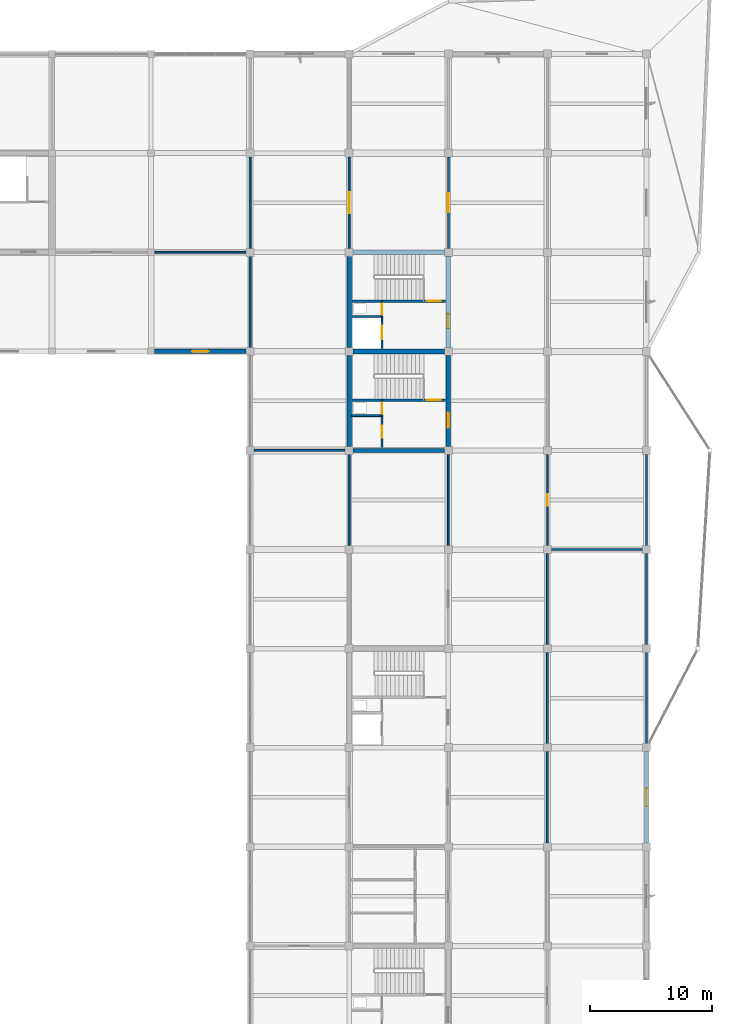
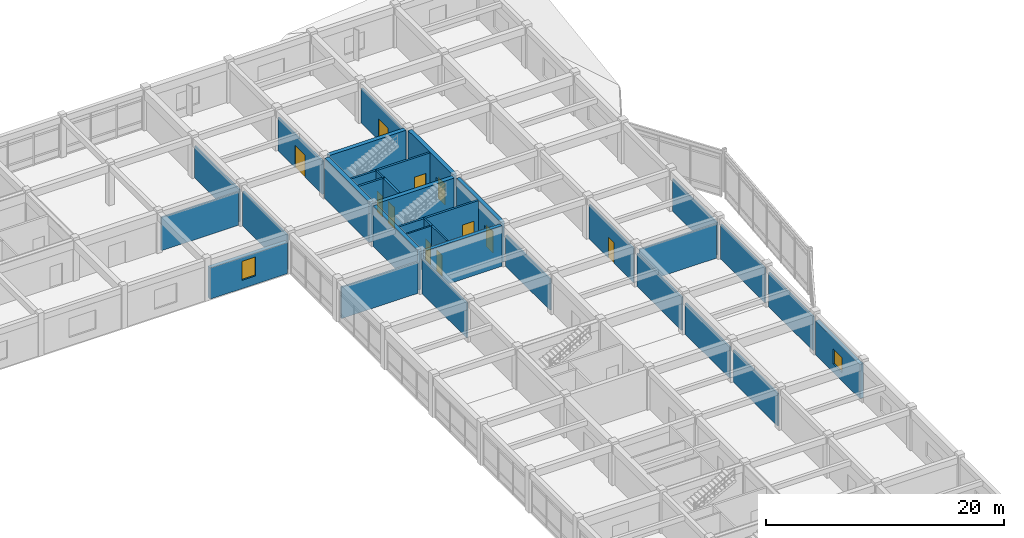
# One storey, part 31 of 40: 33 walls, 11 doors, 2 windows, 13 openings.
"""IFC4 building model written with IfcOpenShell, lengths in metres."""

from ifc_helpers import new_model, si_unit, direction, frame, frame_2d, origin, place, context, subcontext, project, spatial, rectangle, extrude, material, layer, layer_set, type_object, element, fill, save


model = new_model("IFC4")

# Units and contexts
model_context = context("Model", 3, precision=1e-05, world=origin(), true_north=direction((0.0, 1.0)))
body_context = subcontext(model_context, "Body", "Model", "MODEL_VIEW")
ifc_project = project(units=[si_unit("LENGTHUNIT", "METRE"), si_unit("AREAUNIT", "SQUARE_METRE"), si_unit("VOLUMEUNIT", "CUBIC_METRE"), si_unit("PLANEANGLEUNIT", "RADIAN"), si_unit("MASSUNIT", "GRAM", prefix="KILO")], contexts=[model_context])

# Site, building, storey
site_placement = place(None, origin())
site = spatial("IfcSite", under=ifc_project, at=site_placement, CompositionType="ELEMENT")
building_placement = place(site_placement, origin())
building = spatial("IfcBuilding", under=site, at=building_placement, Name="Vaudrelin Polytechnic", CompositionType="ELEMENT")
storey_placement = place(building_placement, frame((0.0, 0.0, 22.949951171875)))
storey = spatial("IfcBuildingStorey", under=building, at=storey_placement, Name="L05", CompositionType="ELEMENT", Elevation=22.949951171875)

# Wall, opening, window
ifc_material_1 = material(Name="Precast concrete 35 MPa with terracotta baguette screen", Category="masonry")
ifc_layer_1 = layer(ifc_material_1, 0.35009765625)
ifc_layer_set_1 = layer_set([ifc_layer_1], Name="Precast concrete 35 MPa with terracotta baguette screen")
wall_type_1 = type_object("IfcWallType", Name="WAL-EW-TERR350", PredefinedType="STANDARD", material=ifc_layer_set_1)
wall_1_placement = place(storey_placement, frame((170.10009765625, 57.02294921875, 0.0), z_axis=(0.0, 0.0, 1.0), x_axis=(0.0, 1.0, 0.0)))
wall_1 = element("IfcWall", 1, at=wall_1_placement, inside=storey, type_object=wall_type_1, Name="Exterior wall L05 E_V4_05", PredefinedType="STANDARD", context=body_context, shape_type="SweptSolid", body=[
    extrude(rectangle(XDim=7.4541015625, YDim=0.35009765625, at=frame_2d((3.72705078125, 0.0))), origin(), (0.0, 0.0, 1.0), 3.511962890625),
])
opening_1_placement = place(wall_1_placement, frame((2.97705078125, 0.0, 0.85009765625)))
opening_1 = element("IfcOpeningElement", 2, at=opening_1_placement, cuts=wall_1, Name="Opening W-L05-E-V4-06", PredefinedType="OPENING", context=body_context, shape_type="SweptSolid", body=[
    extrude(rectangle(XDim=1.5, YDim=1.550048828125, at=frame_2d((0.75, 0.77490234375))), frame((0.0, 0.18505859375, 0.0), z_axis=(0.0, -1.0, 0.0), x_axis=(1.0, 0.0, 0.0)), (0.0, 0.0, 1.0), 0.3701171875),
])
ifc_material_2 = material(Name="Thermally broken aluminium frame with triple low-e glazing", Category="aluminium")
window_type_1 = type_object("IfcWindowType", Name="WIN-WN-24", PartitioningType="SINGLE_PANEL", PredefinedType="WINDOW", material=ifc_material_2)
window_1_placement = place(opening_1_placement, origin())
window_1 = element("IfcWindow", 3, at=window_1_placement, inside=storey, type_object=window_type_1, Name="Facade window L05-E_V4_05", OverallHeight=1.550048828125, OverallWidth=1.5, PartitioningType="SINGLE_PANEL", PredefinedType="WINDOW", context=body_context, shape_type="SweptSolid", body=[
    extrude(rectangle(XDim=1.5, YDim=1.550048828125, at=frame_2d((0.75, 0.77490234375))), frame((0.0, 0.030029296875, 0.0), z_axis=(0.0, -1.0, 0.0), x_axis=(1.0, 0.0, 0.0)), (0.0, 0.0, 1.0), 0.06005859375),
])
fill(opening_1, window_1)

ifc_material_3 = material(Name="Precast concrete 35 MPa with standing-seam zinc rainscreen", Category="concrete")
ifc_layer_2 = layer(ifc_material_3, 0.360107421875)
ifc_layer_set_2 = layer_set([ifc_layer_2], Name="Precast concrete 35 MPa with standing-seam zinc rainscreen")
wall_type_2 = type_object("IfcWallType", Name="WAL-EW-ZINC360", PredefinedType="STANDARD", material=ifc_layer_set_2)
wall_2_placement = place(storey_placement, frame((129.873046875, 97.199951171875, 0.0), z_axis=(0.0, 0.0, 1.0), x_axis=(1.0, 0.0, 0.0)))
wall_2 = element("IfcWall", 4, at=wall_2_placement, inside=storey, type_object=wall_type_2, Name="Exterior wall L05 S_V5_14", PredefinedType="STANDARD", context=body_context, shape_type="SweptSolid", body=[
    extrude(rectangle(XDim=7.50390625, YDim=0.360107421875, at=frame_2d((3.751953125, 0.0))), origin(), (0.0, 0.0, 1.0), 3.212158203125),
])
opening_2_placement = place(wall_2_placement, frame((3.076904296875, 0.0, 0.85009765625)))
opening_2 = element("IfcOpeningElement", 5, at=opening_2_placement, cuts=wall_2, Name="Opening W-L05-S-V5-15", PredefinedType="OPENING", context=body_context, shape_type="SweptSolid", body=[
    extrude(rectangle(XDim=1.35009765625, YDim=1.949951171875, at=frame_2d((0.675048828125, 0.97509765625))), frame((0.0, 0.18994140625, 0.0), z_axis=(0.0, -1.0, 0.0), x_axis=(1.0, 0.0, 0.0)), (0.0, 0.0, 1.0), 0.380126953125),
])
window_type_2 = type_object("IfcWindowType", Name="WIN-WN-14", PartitioningType="SINGLE_PANEL", PredefinedType="WINDOW", material=ifc_material_2)
window_2_placement = place(opening_2_placement, origin())
window_2 = element("IfcWindow", 6, at=window_2_placement, inside=storey, type_object=window_type_2, Name="Facade window L05-S_V5_14", OverallHeight=1.949951171875, OverallWidth=1.35009765625, PartitioningType="SINGLE_PANEL", PredefinedType="WINDOW", context=body_context, shape_type="SweptSolid", body=[
    extrude(rectangle(XDim=1.35009765625, YDim=1.949951171875, at=frame_2d((0.675048828125, 0.97509765625))), frame((0.0, 0.030029296875, 0.0), z_axis=(0.0, -1.0, 0.0), x_axis=(1.0, 0.0, 0.0)), (0.0, 0.0, 1.0), 0.06005859375),
])
fill(opening_2, window_2)

# Wall, opening, door
ifc_material_4 = material(Name="Fire-rated steel-stud gypsum compartment wall", Category="steel")
ifc_layer_3 = layer(ifc_material_4, 0.14990234375)
ifc_layer_set_3 = layer_set([ifc_layer_3], Name="Fire-rated steel-stud gypsum compartment wall")
wall_type_3 = type_object("IfcWallType", Name="WAL-PW-FIRE60", PredefinedType="PARTITIONING", material=ifc_layer_set_3)
wall_3_placement = place(storey_placement, frame((148.47998046875, 100.050048828125, 0.0), z_axis=(0.0, 0.0, 1.0), x_axis=(0.0, 1.0, 0.0)))
wall_3 = element("IfcWall", 7, at=wall_3_placement, inside=storey, type_object=wall_type_3, Name="Core C6 riser enclosure wall L05", PredefinedType="PARTITIONING", context=body_context, shape_type="SweptSolid", body=[
    extrude(rectangle(XDim=1.260009765625, YDim=0.14990234375, at=frame_2d((0.6298828125, 0.0))), origin(), (0.0, 0.0, 1.0), 4.162109375),
])
opening_3_placement = place(wall_3_placement, frame((0.139892578125, 0.0, 0.0)))
opening_3 = element("IfcOpeningElement", 8, at=opening_3_placement, cuts=wall_3, Name="Opening D-L05-104", PredefinedType="OPENING", context=body_context, shape_type="SweptSolid", body=[
    extrude(rectangle(XDim=0.89990234375, YDim=2.14990234375, at=frame_2d((0.449951171875, 1.074951171875))), frame((0.0, 0.0849609375, 0.0), z_axis=(0.0, -1.0, 0.0), x_axis=(1.0, 0.0, 0.0)), (0.0, 0.0, 1.0), 0.169921875),
])
ifc_material_5 = material(Name="Pressed galvanised steel acoustic leaf", Category="steel")
door_type_1 = type_object("IfcDoorType", Name="DOR-ID-RSR1", OperationType="NOTDEFINED", PredefinedType="DOOR", material=ifc_material_5)
door_1_placement = place(opening_3_placement, origin())
door_1 = element("IfcDoor", 9, at=door_1_placement, inside=storey, type_object=door_type_1, Name="Core C6 riser access door L05", OperationType="SINGLE_SWING_RIGHT", OverallHeight=2.14990234375, OverallWidth=0.89990234375, PredefinedType="DOOR", context=body_context, shape_type="SweptSolid", body=[
    extrude(rectangle(XDim=0.89990234375, YDim=2.14990234375, at=frame_2d((0.449951171875, 1.074951171875))), frame((0.0, 0.02490234375, 0.0), z_axis=(0.0, -1.0, 0.0), x_axis=(1.0, 0.0, 0.0)), (0.0, 0.0, 1.0), 0.050048828125),
])
fill(opening_3, door_1)

wall_4_placement = place(storey_placement, frame((148.47998046875, 91.949951171875, 0.0), z_axis=(0.0, 0.0, 1.0), x_axis=(0.0, 1.0, 0.0)))
wall_4 = element("IfcWall", 10, at=wall_4_placement, inside=storey, type_object=wall_type_3, Name="Core C13 riser enclosure wall L05", PredefinedType="PARTITIONING", context=body_context, shape_type="SweptSolid", body=[
    extrude(rectangle(XDim=1.260009765625, YDim=0.14990234375, at=frame_2d((0.6298828125, 0.0))), origin(), (0.0, 0.0, 1.0), 4.162109375),
])
opening_4_placement = place(wall_4_placement, frame((0.139892578125, 0.0, 0.0)))
opening_4 = element("IfcOpeningElement", 11, at=opening_4_placement, cuts=wall_4, Name="Opening D-L05-319", PredefinedType="OPENING", context=body_context, shape_type="SweptSolid", body=[
    extrude(rectangle(XDim=0.89990234375, YDim=2.14990234375, at=frame_2d((0.449951171875, 1.074951171875))), frame((0.0, 0.0849609375, 0.0), z_axis=(0.0, -1.0, 0.0), x_axis=(1.0, 0.0, 0.0)), (0.0, 0.0, 1.0), 0.169921875),
])
door_2_placement = place(opening_4_placement, origin())
door_2 = element("IfcDoor", 12, at=door_2_placement, inside=storey, type_object=door_type_1, Name="Core C13 riser access door L05", OperationType="SINGLE_SWING_RIGHT", OverallHeight=2.14990234375, OverallWidth=0.89990234375, PredefinedType="DOOR", context=body_context, shape_type="SweptSolid", body=[
    extrude(rectangle(XDim=0.89990234375, YDim=2.14990234375, at=frame_2d((0.449951171875, 1.074951171875))), frame((0.0, 0.02490234375, 0.0), z_axis=(0.0, -1.0, 0.0), x_axis=(1.0, 0.0, 0.0)), (0.0, 0.0, 1.0), 0.050048828125),
])
fill(opening_4, door_2)

# Wall
wall_5_placement = place(storey_placement, frame((146.02001953125, 91.949951171875, 0.0), z_axis=(0.0, 0.0, 1.0), x_axis=(1.0, 0.0, 0.0)))
element("IfcWall", 13, at=wall_5_placement, inside=storey, type_object=wall_type_3, Name="Core C13 riser south fire wall L05", PredefinedType="PARTITIONING", context=body_context, shape_type="SweptSolid", body=[
    extrude(rectangle(XDim=2.530029296875, YDim=0.14990234375, at=frame_2d((1.26513671875, 0.0))), origin(), (0.0, 0.0, 1.0), 4.162109375),
])

# Wall, opening, door
wall_6_placement = place(storey_placement, frame((148.47998046875, 89.35009765625, 0.0), z_axis=(0.0, 0.0, 1.0), x_axis=(0.0, 1.0, 0.0)))
wall_6 = element("IfcWall", 14, at=wall_6_placement, inside=storey, type_object=wall_type_3, Name="Core C13 custodial enclosure wall L05", PredefinedType="PARTITIONING", context=body_context, shape_type="SweptSolid", body=[
    extrude(rectangle(XDim=2.599853515625, YDim=0.14990234375, at=frame_2d((1.2998046875, 0.0))), origin(), (0.0, 0.0, 1.0), 4.162109375),
])
opening_5_placement = place(wall_6_placement, frame((0.800048828125, 0.0, 0.0)))
opening_5 = element("IfcOpeningElement", 15, at=opening_5_placement, cuts=wall_6, Name="Opening D-L05-320", PredefinedType="OPENING", context=body_context, shape_type="SweptSolid", body=[
    extrude(rectangle(XDim=0.949951171875, YDim=2.14990234375, at=frame_2d((0.47509765625, 1.074951171875))), frame((0.0, 0.0849609375, 0.0), z_axis=(0.0, -1.0, 0.0), x_axis=(1.0, 0.0, 0.0)), (0.0, 0.0, 1.0), 0.169921875),
])
door_type_2 = type_object("IfcDoorType", Name="DOR-ID-STR1", OperationType="NOTDEFINED", PredefinedType="DOOR", material=ifc_material_5)
door_3_placement = place(opening_5_placement, origin())
door_3 = element("IfcDoor", 16, at=door_3_placement, inside=storey, type_object=door_type_2, Name="Core C13 custodial door L05", OperationType="SINGLE_SWING_RIGHT", OverallHeight=2.14990234375, OverallWidth=0.949951171875, PredefinedType="DOOR", context=body_context, shape_type="SweptSolid", body=[
    extrude(rectangle(XDim=0.949951171875, YDim=2.14990234375, at=frame_2d((0.47509765625, 1.074951171875))), frame((0.0, 0.02490234375, 0.0), z_axis=(0.0, -1.0, 0.0), x_axis=(1.0, 0.0, 0.0)), (0.0, 0.0, 1.0), 0.050048828125),
])
fill(opening_5, door_3)

# Walls
ifc_material_6 = material(Name="Moisture- and chemical-resistant laboratory partition", Category="gypsum")
ifc_layer_4 = layer(ifc_material_6, 0.159912109375)
ifc_layer_set_4 = layer_set([ifc_layer_4], Name="Moisture- and chemical-resistant laboratory partition")
wall_type_4 = type_object("IfcWallType", Name="WAL-PW-LAB160", PredefinedType="PARTITIONING", material=ifc_layer_set_4)
wall_7_placement = place(storey_placement, frame((145.800048828125, 81.322998046875, 0.0), z_axis=(0.0, 0.0, 1.0), x_axis=(0.0, 1.0, 0.0)))
element("IfcWall", 17, at=wall_7_placement, inside=storey, type_object=wall_type_4, Name="Partition L05-009 E", PredefinedType="PARTITIONING", context=body_context, shape_type="SweptSolid", body=[
    extrude(rectangle(XDim=7.4541015625, YDim=0.159912109375, at=frame_2d((3.72705078125, 0.0))), origin(), (0.0, 0.0, 1.0), 3.56201171875),
])
wall_8_placement = place(storey_placement, frame((138.02294921875, 89.10009765625, 0.0), z_axis=(0.0, 0.0, 1.0), x_axis=(1.0, 0.0, 0.0)))
element("IfcWall", 18, at=wall_8_placement, inside=storey, type_object=wall_type_4, Name="Partition L05-009 N", PredefinedType="PARTITIONING", context=body_context, shape_type="SweptSolid", body=[
    extrude(rectangle(XDim=7.4541015625, YDim=0.159912109375, at=frame_2d((3.72705078125, 0.0))), origin(), (0.0, 0.0, 1.0), 3.212158203125),
])

# Wall, opening, door
wall_9_placement = place(storey_placement, frame((145.800048828125, 105.623046875, 0.0), z_axis=(0.0, 0.0, 1.0), x_axis=(0.0, 1.0, 0.0)))
wall_9 = element("IfcWall", 19, at=wall_9_placement, inside=storey, type_object=wall_type_4, Name="Partition L05-011 E", PredefinedType="PARTITIONING", context=body_context, shape_type="SweptSolid", body=[
    extrude(rectangle(XDim=7.453857421875, YDim=0.159912109375, at=frame_2d((3.72705078125, 0.0))), origin(), (0.0, 0.0, 1.0), 3.412109375),
])
opening_6_placement = place(wall_9_placement, frame((2.866943359375, 0.0, 0.0)))
opening_6 = element("IfcOpeningElement", 20, at=opening_6_placement, cuts=wall_9, Name="Opening D-L05-549", PredefinedType="OPENING", context=body_context, shape_type="SweptSolid", body=[
    extrude(rectangle(XDim=1.719970703125, YDim=2.300048828125, at=frame_2d((0.85986328125, 1.14990234375))), frame((0.0, 0.08984375, 0.0), z_axis=(0.0, -1.0, 0.0), x_axis=(1.0, 0.0, 0.0)), (0.0, 0.0, 1.0), 0.179931640625),
])
door_type_3 = type_object("IfcDoorType", Name="DOR-ID-LAB5", OperationType="NOTDEFINED", PredefinedType="DOOR", material=ifc_material_5)
door_4_placement = place(opening_6_placement, origin())
door_4 = element("IfcDoor", 21, at=door_4_placement, inside=storey, type_object=door_type_3, Name="Autonomous Controls Laboratory door L05-011", OperationType="DOUBLE_SWING_LEFT", OverallHeight=2.300048828125, OverallWidth=1.719970703125, PredefinedType="DOOR", context=body_context, shape_type="SweptSolid", body=[
    extrude(rectangle(XDim=1.719970703125, YDim=2.300048828125, at=frame_2d((0.85986328125, 1.14990234375))), frame((0.0, 0.02490234375, 0.0), z_axis=(0.0, -1.0, 0.0), x_axis=(1.0, 0.0, 0.0)), (0.0, 0.0, 1.0), 0.050048828125),
])
fill(opening_6, door_4)

# Wall
wall_10_placement = place(storey_placement, frame((137.699951171875, 97.52294921875, 0.0), z_axis=(0.0, 0.0, 1.0), x_axis=(0.0, 1.0, 0.0)))
element("IfcWall", 22, at=wall_10_placement, inside=storey, type_object=wall_type_4, Name="Partition L05-011 W", PredefinedType="PARTITIONING", context=body_context, shape_type="SweptSolid", body=[
    extrude(rectangle(XDim=7.4541015625, YDim=0.159912109375, at=frame_2d((3.72705078125, 0.0))), origin(), (0.0, 0.0, 1.0), 3.56201171875),
])

# Wall, opening, door
wall_11_placement = place(storey_placement, frame((153.89990234375, 105.623046875, 0.0), z_axis=(0.0, 0.0, 1.0), x_axis=(0.0, 1.0, 0.0)))
wall_11 = element("IfcWall", 23, at=wall_11_placement, inside=storey, type_object=wall_type_4, Name="Partition L05-012 E", PredefinedType="PARTITIONING", context=body_context, shape_type="SweptSolid", body=[
    extrude(rectangle(XDim=7.453857421875, YDim=0.159912109375, at=frame_2d((3.72705078125, 0.0))), origin(), (0.0, 0.0, 1.0), 3.56201171875),
])
opening_7_placement = place(wall_11_placement, frame((2.93701171875, 0.0, 0.0)))
opening_7 = element("IfcOpeningElement", 24, at=opening_7_placement, cuts=wall_11, Name="Opening D-L05-550", PredefinedType="OPENING", context=body_context, shape_type="SweptSolid", body=[
    extrude(rectangle(XDim=1.580078125, YDim=2.199951171875, at=frame_2d((0.7900390625, 1.10009765625))), frame((0.0, 0.08984375, 0.0), z_axis=(0.0, -1.0, 0.0), x_axis=(1.0, 0.0, 0.0)), (0.0, 0.0, 1.0), 0.179931640625),
])
door_type_4 = type_object("IfcDoorType", Name="DOR-ID-LAB3", OperationType="NOTDEFINED", PredefinedType="DOOR", material=ifc_material_5)
door_5_placement = place(opening_7_placement, origin())
door_5 = element("IfcDoor", 25, at=door_5_placement, inside=storey, type_object=door_type_4, Name="Mechatronics Calibration Laboratory door L05-012", OperationType="DOUBLE_SWING_LEFT", OverallHeight=2.199951171875, OverallWidth=1.580078125, PredefinedType="DOOR", context=body_context, shape_type="SweptSolid", body=[
    extrude(rectangle(XDim=1.580078125, YDim=2.199951171875, at=frame_2d((0.7900390625, 1.10009765625))), frame((0.0, 0.02490234375, 0.0), z_axis=(0.0, -1.0, 0.0), x_axis=(1.0, 0.0, 0.0)), (0.0, 0.0, 1.0), 0.050048828125),
])
fill(opening_7, door_5)

ifc_material_7 = material(Name="Acoustic steel-stud office & study room partition", Category="steel")
ifc_layer_5 = layer(ifc_material_7, 0.135009765625)
ifc_layer_set_5 = layer_set([ifc_layer_5], Name="Acoustic steel-stud office & study room partition")
wall_type_5 = type_object("IfcWallType", Name="WAL-PW-OFF135", PredefinedType="PARTITIONING", material=ifc_layer_set_5)
wall_12_placement = place(storey_placement, frame((162.0, 81.322998046875, 0.0), z_axis=(0.0, 0.0, 1.0), x_axis=(0.0, 1.0, 0.0)))
wall_12 = element("IfcWall", 26, at=wall_12_placement, inside=storey, type_object=wall_type_5, Name="Partition L05-016 W", PredefinedType="PARTITIONING", context=body_context, shape_type="SweptSolid", body=[
    extrude(rectangle(XDim=7.4541015625, YDim=0.135009765625, at=frame_2d((3.72705078125, 0.0))), origin(), (0.0, 0.0, 1.0), 3.511962890625),
])
opening_8_placement = place(wall_12_placement, frame((3.251953125, 0.0, 0.0)))
opening_8 = element("IfcOpeningElement", 27, at=opening_8_placement, cuts=wall_12, Name="Opening D-L05-553", PredefinedType="OPENING", context=body_context, shape_type="SweptSolid", body=[
    extrude(rectangle(XDim=0.949951171875, YDim=2.14990234375, at=frame_2d((0.47509765625, 1.074951171875))), frame((0.0, 0.07763671875, 0.0), z_axis=(0.0, -1.0, 0.0), x_axis=(1.0, 0.0, 0.0)), (0.0, 0.0, 1.0), 0.155029296875),
])
ifc_material_8 = material(Name="Solid-core birch veneer acoustic leaf", Category="wood")
door_type_5 = type_object("IfcDoorType", Name="DOR-ID-OFF1", OperationType="NOTDEFINED", PredefinedType="DOOR", material=ifc_material_8)
door_6_placement = place(opening_8_placement, origin())
door_6 = element("IfcDoor", 28, at=door_6_placement, inside=storey, type_object=door_type_5, Name="Academic Faculty Offices Level 5 door L05-016", OperationType="SINGLE_SWING_RIGHT", OverallHeight=2.14990234375, OverallWidth=0.949951171875, PredefinedType="DOOR", context=body_context, shape_type="SweptSolid", body=[
    extrude(rectangle(XDim=0.949951171875, YDim=2.14990234375, at=frame_2d((0.47509765625, 1.074951171875))), frame((0.0, 0.02490234375, 0.0), z_axis=(0.0, -1.0, 0.0), x_axis=(1.0, 0.0, 0.0)), (0.0, 0.0, 1.0), 0.050048828125),
])
fill(opening_8, door_6)

# Walls
wall_13_placement = place(storey_placement, frame((170.10009765625, 81.322998046875, 0.0), z_axis=(0.0, 0.0, 1.0), x_axis=(0.0, 1.0, 0.0)))
element("IfcWall", 29, at=wall_13_placement, inside=storey, type_object=wall_type_5, Name="Partition L05-016 E", PredefinedType="PARTITIONING", context=body_context, shape_type="SweptSolid", body=[
    extrude(rectangle(XDim=7.4541015625, YDim=0.135009765625, at=frame_2d((3.72705078125, 0.0))), origin(), (0.0, 0.0, 1.0), 3.31201171875),
])
ifc_material_9 = material(Name="Pin-up plywood & acoustic gypsum studio partition", Category="wood")
ifc_layer_6 = layer(ifc_material_9, 0.14990234375)
ifc_layer_set_6 = layer_set([ifc_layer_6], Name="Pin-up plywood & acoustic gypsum studio partition")
wall_type_6 = type_object("IfcWallType", Name="WAL-PW-STU150", PredefinedType="PARTITIONING", material=ifc_layer_set_6)
wall_14_placement = place(storey_placement, frame((129.873046875, 105.300048828125, 0.0), z_axis=(0.0, 0.0, 1.0), x_axis=(1.0, 0.0, 0.0)))
element("IfcWall", 30, at=wall_14_placement, inside=storey, type_object=wall_type_6, Name="Partition L05-005 S", PredefinedType="PARTITIONING", context=body_context, shape_type="SweptSolid", body=[
    extrude(rectangle(XDim=7.50390625, YDim=0.14990234375, at=frame_2d((3.751953125, 0.0))), origin(), (0.0, 0.0, 1.0), 3.412109375),
])
wall_15_placement = place(storey_placement, frame((137.699951171875, 105.623046875, 0.0), z_axis=(0.0, 0.0, 1.0), x_axis=(0.0, 1.0, 0.0)))
element("IfcWall", 31, at=wall_15_placement, inside=storey, type_object=wall_type_6, Name="Partition L05-005 E", PredefinedType="PARTITIONING", context=body_context, shape_type="SweptSolid", body=[
    extrude(rectangle(XDim=7.453857421875, YDim=0.14990234375, at=frame_2d((3.72705078125, 0.0))), origin(), (0.0, 0.0, 1.0), 3.31201171875),
])
wall_16_placement = place(storey_placement, frame((153.89990234375, 81.322998046875, 0.0), z_axis=(0.0, 0.0, 1.0), x_axis=(0.0, 1.0, 0.0)))
element("IfcWall", 32, at=wall_16_placement, inside=storey, type_object=wall_type_6, Name="Partition L05-010 E", PredefinedType="PARTITIONING", context=body_context, shape_type="SweptSolid", body=[
    extrude(rectangle(XDim=7.4541015625, YDim=0.14990234375, at=frame_2d((3.72705078125, 0.0))), origin(), (0.0, 0.0, 1.0), 3.212158203125),
])
wall_17_placement = place(storey_placement, frame((162.0, 57.02294921875, 0.0), z_axis=(0.0, 0.0, 1.0), x_axis=(0.0, 1.0, 0.0)))
element("IfcWall", 33, at=wall_17_placement, inside=storey, type_object=wall_type_6, Name="Partition L05-015 W", PredefinedType="PARTITIONING", context=body_context, shape_type="SweptSolid", body=[
    extrude(rectangle(XDim=7.4541015625, YDim=0.14990234375, at=frame_2d((3.72705078125, 0.0))), origin(), (0.0, 0.0, 1.0), 3.31201171875),
])
wall_18_placement = place(storey_placement, frame((162.0, 65.123046875, 0.0), z_axis=(0.0, 0.0, 1.0), x_axis=(0.0, 1.0, 0.0)))
element("IfcWall", 34, at=wall_18_placement, inside=storey, type_object=wall_type_6, Name="Partition L05-015 W", PredefinedType="PARTITIONING", context=body_context, shape_type="SweptSolid", body=[
    extrude(rectangle(XDim=7.453857421875, YDim=0.14990234375, at=frame_2d((3.72705078125, 0.0))), origin(), (0.0, 0.0, 1.0), 3.212158203125),
])
wall_19_placement = place(storey_placement, frame((162.0, 73.222900390625, 0.0), z_axis=(0.0, 0.0, 1.0), x_axis=(0.0, 1.0, 0.0)))
element("IfcWall", 35, at=wall_19_placement, inside=storey, type_object=wall_type_6, Name="Partition L05-015 W", PredefinedType="PARTITIONING", context=body_context, shape_type="SweptSolid", body=[
    extrude(rectangle(XDim=7.4541015625, YDim=0.14990234375, at=frame_2d((3.72705078125, 0.0))), origin(), (0.0, 0.0, 1.0), 3.412109375),
])
wall_20_placement = place(storey_placement, frame((162.322998046875, 81.0, 0.0), z_axis=(0.0, 0.0, 1.0), x_axis=(1.0, 0.0, 0.0)))
element("IfcWall", 36, at=wall_20_placement, inside=storey, type_object=wall_type_6, Name="Partition L05-015 N", PredefinedType="PARTITIONING", context=body_context, shape_type="SweptSolid", body=[
    extrude(rectangle(XDim=7.4541015625, YDim=0.14990234375, at=frame_2d((3.72705078125, 0.0))), origin(), (0.0, 0.0, 1.0), 3.511962890625),
])
wall_21_placement = place(storey_placement, frame((170.10009765625, 65.123046875, 0.0), z_axis=(0.0, 0.0, 1.0), x_axis=(0.0, 1.0, 0.0)))
element("IfcWall", 37, at=wall_21_placement, inside=storey, type_object=wall_type_6, Name="Partition L05-015 E", PredefinedType="PARTITIONING", context=body_context, shape_type="SweptSolid", body=[
    extrude(rectangle(XDim=7.453857421875, YDim=0.14990234375, at=frame_2d((3.72705078125, 0.0))), origin(), (0.0, 0.0, 1.0), 3.511962890625),
])
wall_22_placement = place(storey_placement, frame((170.10009765625, 73.222900390625, 0.0), z_axis=(0.0, 0.0, 1.0), x_axis=(0.0, 1.0, 0.0)))
element("IfcWall", 38, at=wall_22_placement, inside=storey, type_object=wall_type_6, Name="Partition L05-015 E", PredefinedType="PARTITIONING", context=body_context, shape_type="SweptSolid", body=[
    extrude(rectangle(XDim=7.4541015625, YDim=0.14990234375, at=frame_2d((3.72705078125, 0.0))), origin(), (0.0, 0.0, 1.0), 3.56201171875),
])

# Wall, opening, door
ifc_material_10 = material(Name="Concrete 40 MPa", Category="concrete")
ifc_layer_7 = layer(ifc_material_10, 0.199951171875)
ifc_layer_set_7 = layer_set([ifc_layer_7], Name="Concrete 40 MPa")
wall_type_7 = type_object("IfcWallType", Name="WAL-SW-CORE200", PredefinedType="SHEAR", material=ifc_layer_set_7)
wall_23_placement = place(storey_placement, frame((146.02001953125, 101.31005859375, 0.0), z_axis=(0.0, 0.0, 1.0), x_axis=(1.0, 0.0, 0.0)))
wall_23 = element("IfcWall", 39, at=wall_23_placement, inside=storey, type_object=wall_type_7, Name="Core C6 stair enclosure wall L05", PredefinedType="SHEAR", context=body_context, shape_type="SweptSolid", body=[
    extrude(rectangle(XDim=7.659912109375, YDim=0.199951171875, at=frame_2d((3.830078125, 0.0))), origin(), (0.0, 0.0, 1.0), 4.162109375),
])
opening_9_placement = place(wall_23_placement, frame((6.110107421875, 0.0, 0.0)))
opening_9 = element("IfcOpeningElement", 40, at=opening_9_placement, cuts=wall_23, Name="Opening D-L05-103", PredefinedType="OPENING", context=body_context, shape_type="SweptSolid", body=[
    extrude(rectangle(XDim=1.14990234375, YDim=2.199951171875, at=frame_2d((0.574951171875, 1.10009765625))), frame((0.0, 0.10986328125, 0.0), z_axis=(0.0, -1.0, 0.0), x_axis=(1.0, 0.0, 0.0)), (0.0, 0.0, 1.0), 0.219970703125),
])
door_type_6 = type_object("IfcDoorType", Name="DOR-ID-ST1", OperationType="NOTDEFINED", PredefinedType="DOOR", material=ifc_material_5)
door_7_placement = place(opening_9_placement, origin())
door_7 = element("IfcDoor", 41, at=door_7_placement, inside=storey, type_object=door_type_6, Name="Core C6 exit stair door L05", OperationType="SINGLE_SWING_LEFT", OverallHeight=2.199951171875, OverallWidth=1.14990234375, PredefinedType="DOOR", context=body_context, shape_type="SweptSolid", body=[
    extrude(rectangle(XDim=1.14990234375, YDim=2.199951171875, at=frame_2d((0.574951171875, 1.10009765625))), frame((0.0, 0.02490234375, 0.0), z_axis=(0.0, -1.0, 0.0), x_axis=(1.0, 0.0, 0.0)), (0.0, 0.0, 1.0), 0.050048828125),
])
fill(opening_9, door_7)

wall_24_placement = place(storey_placement, frame((148.47998046875, 97.449951171875, 0.0), z_axis=(0.0, 0.0, 1.0), x_axis=(0.0, 1.0, 0.0)))
wall_24 = element("IfcWall", 42, at=wall_24_placement, inside=storey, type_object=wall_type_7, Name="Lift LF-06 shaft front wall L05", PredefinedType="SHEAR", context=body_context, shape_type="SweptSolid", body=[
    extrude(rectangle(XDim=2.60009765625, YDim=0.199951171875, at=frame_2d((1.300048828125, 0.0))), origin(), (0.0, 0.0, 1.0), 4.162109375),
])
opening_10_placement = place(wall_24_placement, frame((0.75, 0.0, 0.0)))
opening_10 = element("IfcOpeningElement", 43, at=opening_10_placement, cuts=wall_24, Name="Opening LD-LF-06-L05", PredefinedType="OPENING", context=body_context, shape_type="SweptSolid", body=[
    extrude(rectangle(XDim=1.10009765625, YDim=2.199951171875, at=frame_2d((0.550048828125, 1.10009765625))), frame((0.0, 0.10986328125, 0.0), z_axis=(0.0, -1.0, 0.0), x_axis=(1.0, 0.0, 0.0)), (0.0, 0.0, 1.0), 0.219970703125),
])
ifc_material_11 = material(Name="Brushed stainless steel AISI 304", Category="steel")
door_type_7 = type_object("IfcDoorType", Name="DOR-LD-PAX", OperationType="SLIDING_TO_LEFT", PredefinedType="DOOR", material=ifc_material_11)
door_8_placement = place(opening_10_placement, origin())
door_8 = element("IfcDoor", 44, at=door_8_placement, inside=storey, type_object=door_type_7, Name="Lift LF-06 landing door L05", OperationType="SLIDING_TO_LEFT", OverallHeight=2.199951171875, OverallWidth=1.10009765625, PredefinedType="DOOR", context=body_context, shape_type="SweptSolid", body=[
    extrude(rectangle(XDim=1.10009765625, YDim=2.199951171875, at=frame_2d((0.550048828125, 1.10009765625))), frame((0.0, 0.02490234375, 0.0), z_axis=(0.0, -1.0, 0.0), x_axis=(1.0, 0.0, 0.0)), (0.0, 0.0, 1.0), 0.050048828125),
])
fill(opening_10, door_8)

# Wall
wall_25_placement = place(storey_placement, frame((146.02001953125, 100.050048828125, 0.0), z_axis=(0.0, 0.0, 1.0), x_axis=(1.0, 0.0, 0.0)))
element("IfcWall", 45, at=wall_25_placement, inside=storey, type_object=wall_type_7, Name="Lift LF-06 shaft north wall L05", PredefinedType="SHEAR", context=body_context, shape_type="SweptSolid", body=[
    extrude(rectangle(XDim=2.56005859375, YDim=0.199951171875, at=frame_2d((1.280029296875, 0.0))), origin(), (0.0, 0.0, 1.0), 4.162109375),
])

# Wall, opening, door
wall_26_placement = place(storey_placement, frame((146.02001953125, 93.2099609375, 0.0), z_axis=(0.0, 0.0, 1.0), x_axis=(1.0, 0.0, 0.0)))
wall_26 = element("IfcWall", 46, at=wall_26_placement, inside=storey, type_object=wall_type_7, Name="Core C13 stair enclosure wall L05", PredefinedType="SHEAR", context=body_context, shape_type="SweptSolid", body=[
    extrude(rectangle(XDim=7.659912109375, YDim=0.199951171875, at=frame_2d((3.830078125, 0.0))), origin(), (0.0, 0.0, 1.0), 4.162109375),
])
opening_11_placement = place(wall_26_placement, frame((6.110107421875, 0.0, 0.0)))
opening_11 = element("IfcOpeningElement", 47, at=opening_11_placement, cuts=wall_26, Name="Opening D-L05-318", PredefinedType="OPENING", context=body_context, shape_type="SweptSolid", body=[
    extrude(rectangle(XDim=1.14990234375, YDim=2.199951171875, at=frame_2d((0.574951171875, 1.10009765625))), frame((0.0, 0.10986328125, 0.0), z_axis=(0.0, -1.0, 0.0), x_axis=(1.0, 0.0, 0.0)), (0.0, 0.0, 1.0), 0.219970703125),
])
door_9_placement = place(opening_11_placement, origin())
door_9 = element("IfcDoor", 48, at=door_9_placement, inside=storey, type_object=door_type_6, Name="Core C13 exit stair door L05", OperationType="SINGLE_SWING_LEFT", OverallHeight=2.199951171875, OverallWidth=1.14990234375, PredefinedType="DOOR", context=body_context, shape_type="SweptSolid", body=[
    extrude(rectangle(XDim=1.14990234375, YDim=2.199951171875, at=frame_2d((0.574951171875, 1.10009765625))), frame((0.0, 0.02490234375, 0.0), z_axis=(0.0, -1.0, 0.0), x_axis=(1.0, 0.0, 0.0)), (0.0, 0.0, 1.0), 0.050048828125),
])
fill(opening_11, door_9)

# Wall
ifc_material_12 = material(Name="Concrete 50 MPa", Category="concrete")
ifc_layer_8 = layer(ifc_material_12, 0.35009765625)
ifc_layer_set_8 = layer_set([ifc_layer_8], Name="Concrete 50 MPa")
wall_type_8 = type_object("IfcWallType", Name="WAL-SW-CORE350", PredefinedType="SHEAR", material=ifc_layer_set_8)
wall_27_placement = place(storey_placement, frame((145.800048828125, 89.423095703125, 0.0), z_axis=(0.0, 0.0, 1.0), x_axis=(0.0, 1.0, 0.0)))
element("IfcWall", 49, at=wall_27_placement, inside=storey, type_object=wall_type_8, Name="Core C13 W shear wall L05", PredefinedType="SHEAR", context=body_context, shape_type="SweptSolid", body=[
    extrude(rectangle(XDim=7.453857421875, YDim=0.35009765625, at=frame_2d((3.72705078125, 0.0))), origin(), (0.0, 0.0, 1.0), 4.162109375),
])

# Wall, opening, door
wall_28_placement = place(storey_placement, frame((153.89990234375, 89.423095703125, 0.0), z_axis=(0.0, 0.0, 1.0), x_axis=(0.0, 1.0, 0.0)))
wall_28 = element("IfcWall", 50, at=wall_28_placement, inside=storey, type_object=wall_type_8, Name="Core C13 E shear wall L05", PredefinedType="SHEAR", context=body_context, shape_type="SweptSolid", body=[
    extrude(rectangle(XDim=7.453857421875, YDim=0.35009765625, at=frame_2d((3.72705078125, 0.0))), origin(), (0.0, 0.0, 1.0), 4.162109375),
])
opening_12_placement = place(wall_28_placement, frame((1.550048828125, 0.0, 0.0)))
opening_12 = element("IfcOpeningElement", 51, at=opening_12_placement, cuts=wall_28, Name="Opening D-L05-317", PredefinedType="OPENING", context=body_context, shape_type="SweptSolid", body=[
    extrude(rectangle(XDim=1.199951171875, YDim=2.199951171875, at=frame_2d((0.60009765625, 1.10009765625))), frame((0.0, 0.18505859375, 0.0), z_axis=(0.0, -1.0, 0.0), x_axis=(1.0, 0.0, 0.0)), (0.0, 0.0, 1.0), 0.3701171875),
])
door_type_8 = type_object("IfcDoorType", Name="DOR-ID-LB1", OperationType="NOTDEFINED", PredefinedType="DOOR", material=ifc_material_5)
door_10_placement = place(opening_12_placement, origin())
door_10 = element("IfcDoor", 52, at=door_10_placement, inside=storey, type_object=door_type_8, Name="Core C13 lobby fire door L05", OperationType="SINGLE_SWING_LEFT", OverallHeight=2.199951171875, OverallWidth=1.199951171875, PredefinedType="DOOR", context=body_context, shape_type="SweptSolid", body=[
    extrude(rectangle(XDim=1.199951171875, YDim=2.199951171875, at=frame_2d((0.60009765625, 1.10009765625))), frame((0.0, 0.02490234375, 0.0), z_axis=(0.0, -1.0, 0.0), x_axis=(1.0, 0.0, 0.0)), (0.0, 0.0, 1.0), 0.050048828125),
])
fill(opening_12, door_10)

# Walls
wall_29_placement = place(storey_placement, frame((146.123046875, 89.10009765625, 0.0), z_axis=(0.0, 0.0, 1.0), x_axis=(1.0, 0.0, 0.0)))
element("IfcWall", 53, at=wall_29_placement, inside=storey, type_object=wall_type_8, Name="Core C13 S shear wall L05", PredefinedType="SHEAR", context=body_context, shape_type="SweptSolid", body=[
    extrude(rectangle(XDim=7.453857421875, YDim=0.35009765625, at=frame_2d((3.72705078125, 0.0))), origin(), (0.0, 0.0, 1.0), 4.162109375),
])
ifc_layer_9 = layer(ifc_material_12, 0.39990234375)
ifc_layer_set_9 = layer_set([ifc_layer_9], Name="Concrete 50 MPa")
wall_type_9 = type_object("IfcWallType", Name="WAL-SW-CORE400", PredefinedType="SHEAR", material=ifc_layer_set_9)
wall_30_placement = place(storey_placement, frame((146.123046875, 105.300048828125, 0.0), z_axis=(0.0, 0.0, 1.0), x_axis=(1.0, 0.0, 0.0)))
element("IfcWall", 54, at=wall_30_placement, inside=storey, type_object=wall_type_9, Name="Core C6 N shear wall L05", PredefinedType="SHEAR", context=body_context, shape_type="SweptSolid", body=[
    extrude(rectangle(XDim=7.453857421875, YDim=0.39990234375, at=frame_2d((3.72705078125, 0.0))), origin(), (0.0, 0.0, 1.0), 4.162109375),
])
wall_31_placement = place(storey_placement, frame((145.800048828125, 97.52294921875, 0.0), z_axis=(0.0, 0.0, 1.0), x_axis=(0.0, 1.0, 0.0)))
element("IfcWall", 55, at=wall_31_placement, inside=storey, type_object=wall_type_9, Name="Core C6 W shear wall L05", PredefinedType="SHEAR", context=body_context, shape_type="SweptSolid", body=[
    extrude(rectangle(XDim=7.4541015625, YDim=0.39990234375, at=frame_2d((3.72705078125, 0.0))), origin(), (0.0, 0.0, 1.0), 4.162109375),
])

# Wall, opening, door
wall_32_placement = place(storey_placement, frame((153.89990234375, 97.52294921875, 0.0), z_axis=(0.0, 0.0, 1.0), x_axis=(0.0, 1.0, 0.0)))
wall_32 = element("IfcWall", 56, at=wall_32_placement, inside=storey, type_object=wall_type_9, Name="Core C6 E shear wall L05", PredefinedType="SHEAR", context=body_context, shape_type="SweptSolid", body=[
    extrude(rectangle(XDim=7.4541015625, YDim=0.39990234375, at=frame_2d((3.72705078125, 0.0))), origin(), (0.0, 0.0, 1.0), 4.162109375),
])
opening_13_placement = place(wall_32_placement, frame((1.550048828125, 0.0, 0.0)))
opening_13 = element("IfcOpeningElement", 57, at=opening_13_placement, cuts=wall_32, Name="Opening D-L05-102", PredefinedType="OPENING", context=body_context, shape_type="SweptSolid", body=[
    extrude(rectangle(XDim=1.199951171875, YDim=2.199951171875, at=frame_2d((0.60009765625, 1.10009765625))), frame((0.0, 0.2099609375, 0.0), z_axis=(0.0, -1.0, 0.0), x_axis=(1.0, 0.0, 0.0)), (0.0, 0.0, 1.0), 0.419921875),
])
door_11_placement = place(opening_13_placement, origin())
door_11 = element("IfcDoor", 58, at=door_11_placement, inside=storey, type_object=door_type_8, Name="Core C6 lobby fire door L05", OperationType="SINGLE_SWING_RIGHT", OverallHeight=2.199951171875, OverallWidth=1.199951171875, PredefinedType="DOOR", context=body_context, shape_type="SweptSolid", body=[
    extrude(rectangle(XDim=1.199951171875, YDim=2.199951171875, at=frame_2d((0.60009765625, 1.10009765625))), frame((0.0, 0.02490234375, 0.0), z_axis=(0.0, -1.0, 0.0), x_axis=(1.0, 0.0, 0.0)), (0.0, 0.0, 1.0), 0.050048828125),
])
fill(opening_13, door_11)

# Wall
wall_33_placement = place(storey_placement, frame((146.123046875, 97.199951171875, 0.0), z_axis=(0.0, 0.0, 1.0), x_axis=(1.0, 0.0, 0.0)))
element("IfcWall", 59, at=wall_33_placement, inside=storey, type_object=wall_type_9, Name="Core C6 S shear wall L05", PredefinedType="SHEAR", context=body_context, shape_type="SweptSolid", body=[
    extrude(rectangle(XDim=7.453857421875, YDim=0.39990234375, at=frame_2d((3.72705078125, 0.0))), origin(), (0.0, 0.0, 1.0), 4.162109375),
])

save(model, "model.ifc")
